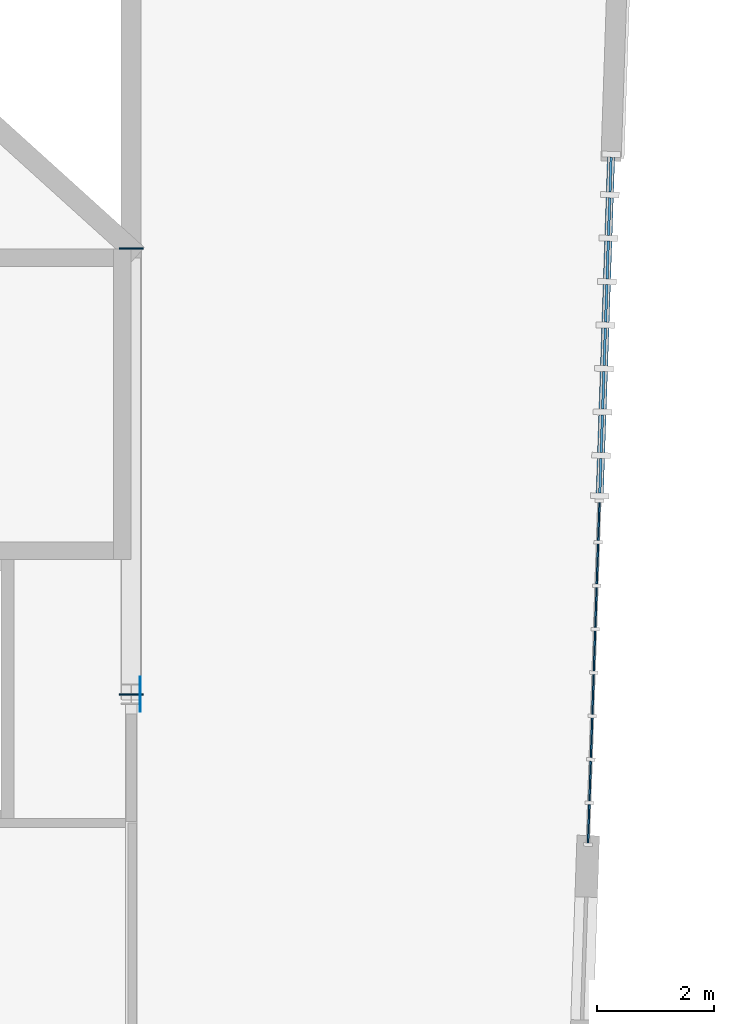
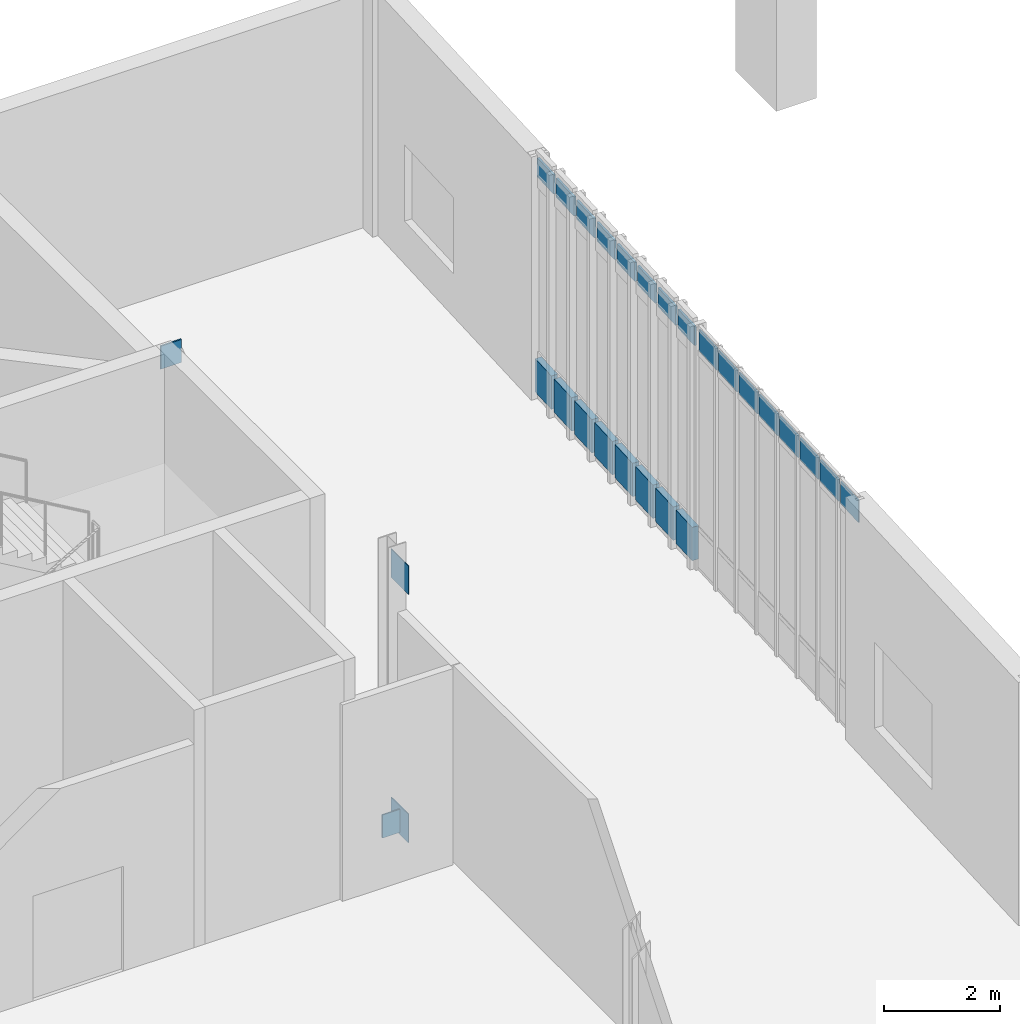
# One storey, part 99 of 127: 28 plates, 2 elements without a shape of their own.
"""IFC4 building model written with IfcOpenShell, lengths in metres."""

from ifc_helpers import new_model, si_unit, direction, frame, origin, origin_2d, place, context, subcontext, project, spatial, rectangle, extrude, material, layer, layer_set, type_object, element, aggregate, save


model = new_model("IFC4")

# Units and contexts
model_context = context("Model", 3, precision=1e-05, world=origin(), true_north=direction((0.0, 1.0)))
body_context = subcontext(model_context, "Body", "Model", "MODEL_VIEW")
ifc_project = project(units=[si_unit("LENGTHUNIT", "METRE"), si_unit("AREAUNIT", "SQUARE_METRE"), si_unit("VOLUMEUNIT", "CUBIC_METRE"), si_unit("PLANEANGLEUNIT", "RADIAN"), si_unit("MASSUNIT", "GRAM", prefix="KILO")], contexts=[model_context])

# Site, building, storey
site_placement = place(None, origin())
site = spatial("IfcSite", under=ifc_project, at=site_placement, CompositionType="ELEMENT")
building_placement = place(site_placement, origin())
building = spatial("IfcBuilding", under=site, at=building_placement, Name="Larkvane Passage Sports Hall", CompositionType="ELEMENT")
storey_placement = place(building_placement, frame((0.0, 0.0, 5.39990234375)))
storey = spatial("IfcBuildingStorey", under=building, at=storey_placement, Name="L01", CompositionType="ELEMENT", Elevation=5.39990234375)

# Curtain wall, plates
ifc_material_1 = material(Name="Thermally broken aluminium and low-E glazing", Category="aluminium")
curtain_wall_type_1 = type_object("IfcCurtainWallType", Name="CW-CLINIC", PredefinedType="USERDEFINED", material=ifc_material_1)
curtain_wall_1_placement = place(storey_placement, origin())
curtain_wall_1 = element("IfcCurtainWall", 1, at=curtain_wall_1_placement, inside=storey, type_object=curtain_wall_type_1, Name="Curtain wall CW5-L01-043", ObjectType="UNITISED CURTAIN WALL", PredefinedType="USERDEFINED")
ifc_material_2 = material(Name="Deep insulated facade spandrel panel")
ifc_layer_1 = layer(ifc_material_2, 0.125)
ifc_layer_set_1 = layer_set([ifc_layer_1], Name="Deep insulated facade spandrel panel")
plate_type_1 = type_object("IfcPlateType", Name="CWP-SPD-125", PredefinedType="CURTAIN_PANEL", material=ifc_layer_set_1)
plate_1_placement = place(storey_placement, frame((101.78662109375, 92.870849609375, 0.10009765625), z_axis=(0.0, 0.0, 1.0), x_axis=(-0.033688353605, -0.999432386323, 0.0)))
plate_1 = element("IfcPlate", 2, at=plate_1_placement, type_object=plate_type_1, Name="CW-05 panel 1.1", PredefinedType="CURTAIN_PANEL", context=body_context, shape_type="SweptSolid", body=[
    extrude(rectangle(XDim=0.592041015625, YDim=0.125, at=origin_2d()), origin(), (0.0, 0.0, 1.0), 0.699951171875),
])
plate_2_placement = place(storey_placement, frame((101.762451171875, 92.154296875, 0.10009765625), z_axis=(0.0, 0.0, 1.0), x_axis=(-0.033688353605, -0.999432386323, 0.0)))
plate_2 = element("IfcPlate", 3, at=plate_2_placement, type_object=plate_type_1, Name="CW-05 panel 2.1", PredefinedType="CURTAIN_PANEL", context=body_context, shape_type="SweptSolid", body=[
    extrude(rectangle(XDim=0.64208984375, YDim=0.125, at=origin_2d()), origin(), (0.0, 0.0, 1.0), 0.699951171875),
])
plate_3_placement = place(storey_placement, frame((101.737548828125, 91.41259765625, 0.10009765625), z_axis=(0.0, 0.0, 1.0), x_axis=(-0.033688353605, -0.999432386323, 0.0)))
plate_3 = element("IfcPlate", 4, at=plate_3_placement, type_object=plate_type_1, Name="CW-05 panel 3.1", PredefinedType="CURTAIN_PANEL", context=body_context, shape_type="SweptSolid", body=[
    extrude(rectangle(XDim=0.64208984375, YDim=0.125, at=origin_2d()), origin(), (0.0, 0.0, 1.0), 0.699951171875),
])
plate_4_placement = place(storey_placement, frame((101.71240234375, 90.6708984375, 0.10009765625), z_axis=(0.0, 0.0, 1.0), x_axis=(-0.033688353605, -0.999432386323, 0.0)))
plate_4 = element("IfcPlate", 5, at=plate_4_placement, type_object=plate_type_1, Name="CW-05 panel 4.1", PredefinedType="CURTAIN_PANEL", context=body_context, shape_type="SweptSolid", body=[
    extrude(rectangle(XDim=0.64208984375, YDim=0.125, at=origin_2d()), origin(), (0.0, 0.0, 1.0), 0.699951171875),
])
plate_5_placement = place(storey_placement, frame((101.6875, 89.92919921875, 0.10009765625), z_axis=(0.0, 0.0, 1.0), x_axis=(-0.033688353605, -0.999432386323, 0.0)))
plate_5 = element("IfcPlate", 6, at=plate_5_placement, type_object=plate_type_1, Name="CW-05 panel 5.1", PredefinedType="CURTAIN_PANEL", context=body_context, shape_type="SweptSolid", body=[
    extrude(rectangle(XDim=0.64208984375, YDim=0.125, at=origin_2d()), origin(), (0.0, 0.0, 1.0), 0.699951171875),
])
plate_6_placement = place(storey_placement, frame((101.66259765625, 89.1875, 0.10009765625), z_axis=(0.0, 0.0, 1.0), x_axis=(-0.033688353605, -0.999432386323, 0.0)))
plate_6 = element("IfcPlate", 7, at=plate_6_placement, type_object=plate_type_1, Name="CW-05 panel 6.1", PredefinedType="CURTAIN_PANEL", context=body_context, shape_type="SweptSolid", body=[
    extrude(rectangle(XDim=0.64208984375, YDim=0.125, at=origin_2d()), origin(), (0.0, 0.0, 1.0), 0.699951171875),
])
plate_7_placement = place(storey_placement, frame((101.637451171875, 88.44580078125, 0.10009765625), z_axis=(0.0, 0.0, 1.0), x_axis=(-0.033688353605, -0.999432386323, 0.0)))
plate_7 = element("IfcPlate", 8, at=plate_7_placement, type_object=plate_type_1, Name="CW-05 panel 7.1", PredefinedType="CURTAIN_PANEL", context=body_context, shape_type="SweptSolid", body=[
    extrude(rectangle(XDim=0.64208984375, YDim=0.125, at=origin_2d()), origin(), (0.0, 0.0, 1.0), 0.699951171875),
])
plate_8_placement = place(storey_placement, frame((101.61328125, 87.72900390625, 0.10009765625), z_axis=(0.0, 0.0, 1.0), x_axis=(-0.033688353605, -0.999432386323, 0.0)))
plate_8 = element("IfcPlate", 9, at=plate_8_placement, type_object=plate_type_1, Name="CW-05 panel 8.1", PredefinedType="CURTAIN_PANEL", context=body_context, shape_type="SweptSolid", body=[
    extrude(rectangle(XDim=0.592041015625, YDim=0.125, at=origin_2d()), origin(), (0.0, 0.0, 1.0), 0.699951171875),
])

curtain_wall_type_2 = type_object("IfcCurtainWallType", Name="CW-UNIT-COURT", PredefinedType="USERDEFINED", material=ifc_material_1)
curtain_wall_2_placement = place(storey_placement, origin())
curtain_wall_2 = element("IfcCurtainWall", 10, at=curtain_wall_2_placement, inside=storey, type_object=curtain_wall_type_2, Name="Curtain wall CW5-L01-044", ObjectType="UNITISED CURTAIN WALL", PredefinedType="USERDEFINED")
ifc_material_3 = material(Name="Solar-control low-E double glazing", Category="glass")
ifc_layer_2 = layer(ifc_material_3, 0.028076171875)
ifc_layer_set_2 = layer_set([ifc_layer_2], Name="Solar-control low-E double glazing")
plate_type_2 = type_object("IfcPlateType", Name="CWP-VIS-28", PredefinedType="CURTAIN_PANEL", material=ifc_layer_set_2)
plate_9_placement = place(storey_placement, frame((101.5869140625, 86.947509765625, 4.580078125), z_axis=(0.0, 0.0, 1.0), x_axis=(-0.033688920742, -0.999432367206, 0.0)))
plate_9 = element("IfcPlate", 11, at=plate_9_placement, type_object=plate_type_2, Name="CW-01 panel 1.3", PredefinedType="CURTAIN_PANEL", context=body_context, shape_type="SweptSolid", body=[
    extrude(rectangle(XDim=0.652099609375, YDim=0.028076171875, at=origin_2d()), origin(), (0.0, 0.0, 1.0), 0.4599609375),
])
plate_10_placement = place(storey_placement, frame((101.5625, 86.220703125, 4.580078125), z_axis=(0.0, 0.0, 1.0), x_axis=(-0.033688920742, -0.999432367206, 0.0)))
plate_10 = element("IfcPlate", 12, at=plate_10_placement, type_object=plate_type_2, Name="CW-01 panel 2.3", PredefinedType="CURTAIN_PANEL", context=body_context, shape_type="SweptSolid", body=[
    extrude(rectangle(XDim=0.68212890625, YDim=0.028076171875, at=origin_2d()), origin(), (0.0, 0.0, 1.0), 0.4599609375),
])
plate_11_placement = place(storey_placement, frame((101.53759765625, 85.479248046875, 4.580078125), z_axis=(0.0, 0.0, 1.0), x_axis=(-0.033688920742, -0.999432367206, 0.0)))
plate_11 = element("IfcPlate", 13, at=plate_11_placement, type_object=plate_type_2, Name="CW-01 panel 3.3", PredefinedType="CURTAIN_PANEL", context=body_context, shape_type="SweptSolid", body=[
    extrude(rectangle(XDim=0.68212890625, YDim=0.028076171875, at=origin_2d()), origin(), (0.0, 0.0, 1.0), 0.4599609375),
])
plate_12_placement = place(storey_placement, frame((101.512451171875, 84.737548828125, 4.580078125), z_axis=(0.0, 0.0, 1.0), x_axis=(-0.033688920742, -0.999432367206, 0.0)))
plate_12 = element("IfcPlate", 14, at=plate_12_placement, type_object=plate_type_2, Name="CW-01 panel 4.3", PredefinedType="CURTAIN_PANEL", context=body_context, shape_type="SweptSolid", body=[
    extrude(rectangle(XDim=0.68212890625, YDim=0.028076171875, at=origin_2d()), origin(), (0.0, 0.0, 1.0), 0.4599609375),
])
plate_13_placement = place(storey_placement, frame((101.487548828125, 83.995849609375, 4.580078125), z_axis=(0.0, 0.0, 1.0), x_axis=(-0.033688920742, -0.999432367206, 0.0)))
plate_13 = element("IfcPlate", 15, at=plate_13_placement, type_object=plate_type_2, Name="CW-01 panel 5.3", PredefinedType="CURTAIN_PANEL", context=body_context, shape_type="SweptSolid", body=[
    extrude(rectangle(XDim=0.68212890625, YDim=0.028076171875, at=origin_2d()), origin(), (0.0, 0.0, 1.0), 0.4599609375),
])
plate_14_placement = place(storey_placement, frame((101.46240234375, 83.254150390625, 4.580078125), z_axis=(0.0, 0.0, 1.0), x_axis=(-0.033688920742, -0.999432367206, 0.0)))
plate_14 = element("IfcPlate", 16, at=plate_14_placement, type_object=plate_type_2, Name="CW-01 panel 6.3", PredefinedType="CURTAIN_PANEL", context=body_context, shape_type="SweptSolid", body=[
    extrude(rectangle(XDim=0.68212890625, YDim=0.028076171875, at=origin_2d()), origin(), (0.0, 0.0, 1.0), 0.4599609375),
])
plate_15_placement = place(storey_placement, frame((101.4375, 82.512451171875, 4.580078125), z_axis=(0.0, 0.0, 1.0), x_axis=(-0.033688920742, -0.999432367206, 0.0)))
plate_15 = element("IfcPlate", 17, at=plate_15_placement, type_object=plate_type_2, Name="CW-01 panel 7.3", PredefinedType="CURTAIN_PANEL", context=body_context, shape_type="SweptSolid", body=[
    extrude(rectangle(XDim=0.68212890625, YDim=0.028076171875, at=origin_2d()), origin(), (0.0, 0.0, 1.0), 0.4599609375),
])
plate_16_placement = place(storey_placement, frame((101.4130859375, 81.785888671875, 4.580078125), z_axis=(0.0, 0.0, 1.0), x_axis=(-0.033688920742, -0.999432367206, 0.0)))
plate_16 = element("IfcPlate", 18, at=plate_16_placement, type_object=plate_type_2, Name="CW-01 panel 8.3", PredefinedType="CURTAIN_PANEL", context=body_context, shape_type="SweptSolid", body=[
    extrude(rectangle(XDim=0.652099609375, YDim=0.028076171875, at=origin_2d()), origin(), (0.0, 0.0, 1.0), 0.4599609375),
])
aggregate(curtain_wall_2, [plate_9, plate_10, plate_11, plate_12, plate_13, plate_14, plate_15, plate_16])

# Plate
ifc_material_4 = material(Name="Triple-laminated typhoon glazing", Category="glass")
ifc_layer_3 = layer(ifc_material_4, 0.0419921875)
ifc_layer_set_3 = layer_set([ifc_layer_3], Name="Triple-laminated typhoon glazing")
plate_type_3 = type_object("IfcPlateType", Name="CWP-VIS-42", PredefinedType="CURTAIN_PANEL", material=ifc_layer_set_3)
plate_17_placement = place(storey_placement, frame((101.78662109375, 92.870849609375, 4.60009765625), z_axis=(0.0, 0.0, 1.0), x_axis=(-0.033688353605, -0.999432386323, 0.0)))
plate_17 = element("IfcPlate", 19, at=plate_17_placement, type_object=plate_type_3, Name="CW-05 panel 1.3", PredefinedType="CURTAIN_PANEL", context=body_context, shape_type="SweptSolid", body=[
    extrude(rectangle(XDim=0.592041015625, YDim=0.0419921875, at=origin_2d()), origin(), (0.0, 0.0, 1.0), 0.39990234375),
])

plate_18_placement = place(storey_placement, frame((101.762451171875, 92.154296875, 4.60009765625), z_axis=(0.0, 0.0, 1.0), x_axis=(-0.033688353605, -0.999432386323, 0.0)))
plate_18 = element("IfcPlate", 20, at=plate_18_placement, type_object=plate_type_3, Name="CW-05 panel 2.3", PredefinedType="CURTAIN_PANEL", context=body_context, shape_type="SweptSolid", body=[
    extrude(rectangle(XDim=0.64208984375, YDim=0.0419921875, at=origin_2d()), origin(), (0.0, 0.0, 1.0), 0.39990234375),
])

plate_19_placement = place(storey_placement, frame((101.737548828125, 91.41259765625, 4.60009765625), z_axis=(0.0, 0.0, 1.0), x_axis=(-0.033688353605, -0.999432386323, 0.0)))
plate_19 = element("IfcPlate", 21, at=plate_19_placement, type_object=plate_type_3, Name="CW-05 panel 3.3", PredefinedType="CURTAIN_PANEL", context=body_context, shape_type="SweptSolid", body=[
    extrude(rectangle(XDim=0.64208984375, YDim=0.0419921875, at=origin_2d()), origin(), (0.0, 0.0, 1.0), 0.39990234375),
])

plate_20_placement = place(storey_placement, frame((101.71240234375, 90.6708984375, 4.60009765625), z_axis=(0.0, 0.0, 1.0), x_axis=(-0.033688353605, -0.999432386323, 0.0)))
plate_20 = element("IfcPlate", 22, at=plate_20_placement, type_object=plate_type_3, Name="CW-05 panel 4.3", PredefinedType="CURTAIN_PANEL", context=body_context, shape_type="SweptSolid", body=[
    extrude(rectangle(XDim=0.64208984375, YDim=0.0419921875, at=origin_2d()), origin(), (0.0, 0.0, 1.0), 0.39990234375),
])

plate_21_placement = place(storey_placement, frame((101.6875, 89.92919921875, 4.60009765625), z_axis=(0.0, 0.0, 1.0), x_axis=(-0.033688353605, -0.999432386323, 0.0)))
plate_21 = element("IfcPlate", 23, at=plate_21_placement, type_object=plate_type_3, Name="CW-05 panel 5.3", PredefinedType="CURTAIN_PANEL", context=body_context, shape_type="SweptSolid", body=[
    extrude(rectangle(XDim=0.64208984375, YDim=0.0419921875, at=origin_2d()), origin(), (0.0, 0.0, 1.0), 0.39990234375),
])

plate_22_placement = place(storey_placement, frame((101.66259765625, 89.1875, 4.60009765625), z_axis=(0.0, 0.0, 1.0), x_axis=(-0.033688353605, -0.999432386323, 0.0)))
plate_22 = element("IfcPlate", 24, at=plate_22_placement, type_object=plate_type_3, Name="CW-05 panel 6.3", PredefinedType="CURTAIN_PANEL", context=body_context, shape_type="SweptSolid", body=[
    extrude(rectangle(XDim=0.64208984375, YDim=0.0419921875, at=origin_2d()), origin(), (0.0, 0.0, 1.0), 0.39990234375),
])

plate_23_placement = place(storey_placement, frame((101.637451171875, 88.44580078125, 4.60009765625), z_axis=(0.0, 0.0, 1.0), x_axis=(-0.033688353605, -0.999432386323, 0.0)))
plate_23 = element("IfcPlate", 25, at=plate_23_placement, type_object=plate_type_3, Name="CW-05 panel 7.3", PredefinedType="CURTAIN_PANEL", context=body_context, shape_type="SweptSolid", body=[
    extrude(rectangle(XDim=0.64208984375, YDim=0.0419921875, at=origin_2d()), origin(), (0.0, 0.0, 1.0), 0.39990234375),
])

plate_24_placement = place(storey_placement, frame((101.61328125, 87.72900390625, 4.60009765625), z_axis=(0.0, 0.0, 1.0), x_axis=(-0.033688353605, -0.999432386323, 0.0)))
plate_24 = element("IfcPlate", 26, at=plate_24_placement, type_object=plate_type_3, Name="CW-05 panel 8.3", PredefinedType="CURTAIN_PANEL", context=body_context, shape_type="SweptSolid", body=[
    extrude(rectangle(XDim=0.592041015625, YDim=0.0419921875, at=origin_2d()), origin(), (0.0, 0.0, 1.0), 0.39990234375),
])

aggregate(curtain_wall_1, [plate_1, plate_17, plate_2, plate_18, plate_3, plate_19, plate_4, plate_20, plate_5, plate_21, plate_6, plate_22, plate_7, plate_23, plate_8, plate_24])

# Plates
ifc_material_5 = material(Name="Steel S460N", Category="steel")
ifc_layer_4 = layer(ifc_material_5, 0.02001953125)
ifc_layer_set_4 = layer_set([ifc_layer_4], Name="Steel S460N")
plate_type_4 = type_object("IfcPlateType", Name="PLT-CAP-20", PredefinedType="SHEET", material=ifc_layer_set_4)
for number, where, z_axis, x_axis, name in (
    (27, (93.60009765625, 83.99169921875, -0.771484375), (0.0, 0.0, 1.0), (-1.0, 0.0, 0.0), "Hollow section sealed end cap plate 0131"),
    (28, (93.60009765625, 91.608154296875, 4.449951171875), (0.0, 0.0, 1.0), (-1.0, 0.0, 0.0), "Hollow section sealed end cap plate 0132"),
):
    element("IfcPlate", number, at=place(storey_placement, frame(where, z_axis=z_axis, x_axis=x_axis)), inside=storey, type_object=plate_type_4, Name=name, PredefinedType="SHEET", context=body_context, shape_type="SweptSolid", body=[
        extrude(rectangle(XDim=0.409912109375, YDim=0.028076171875, at=origin_2d()), origin(), (0.0, 0.0, 1.0), 0.48388671875),
    ])
ifc_layer_5 = layer(ifc_material_5, 0.01611328125)
ifc_layer_set_5 = layer_set([ifc_layer_5], Name="Steel S460N")
plate_type_5 = type_object("IfcPlateType", Name="PLT-GUS-16", PredefinedType="USERDEFINED", material=ifc_layer_set_5)
for number, where, z_axis, x_axis, name in (
    (29, (93.758056640625, 84.0, -0.823974609375), (0.0, 0.0, 1.0), (0.0, 1.0, 0.0), "Truss node gusset plate ND-1B (CT-N1A-2)"),
    (30, (93.758056640625, 84.0, 4.385986328125), (0.0, 0.0, 1.0), (0.0, 1.0, 0.0), "Truss node gusset plate ND-1T (CT-N1A-2)"),
):
    element("IfcPlate", number, at=place(storey_placement, frame(where, z_axis=z_axis, x_axis=x_axis)), inside=storey, type_object=plate_type_5, Name=name, ObjectType="GUSSET PLATE", PredefinedType="USERDEFINED", context=body_context, shape_type="SweptSolid", body=[
        extrude(rectangle(XDim=0.60009765625, YDim=0.01611328125, at=origin_2d()), origin(), (0.0, 0.0, 1.0), 0.60009765625),
    ])

save(model, "model.ifc")
